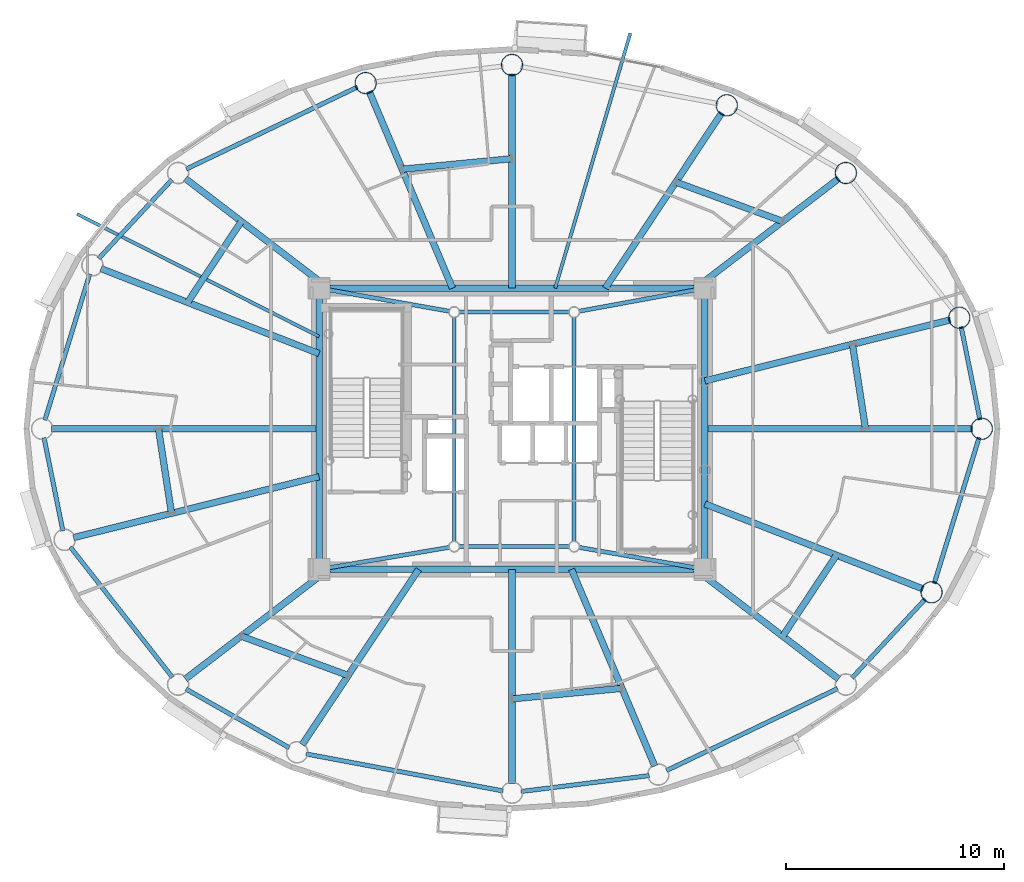
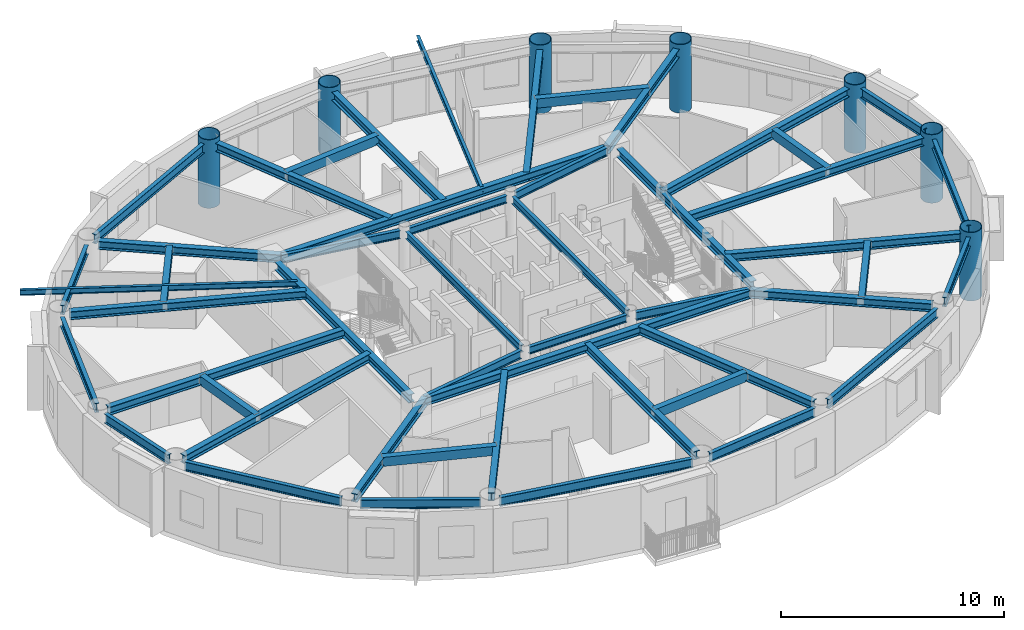
# One storey, part 2 of 20: 50 beams, 7 columns.
"""IFC4 building model written with IfcOpenShell, lengths in metres."""

from ifc_helpers import new_model, si_unit, direction, frame, origin, origin_2d, place, context, subcontext, project, spatial, hollow_rectangle, hollow_circle, i_section, extrude, material, material_profile, profile_set, type_object, element, save


model = new_model("IFC4")

# Units and contexts
model_context = context("Model", 3, precision=1e-05, world=origin(), true_north=direction((0.0, 1.0)))
body_context = subcontext(model_context, "Body", "Model", "MODEL_VIEW")
ifc_project = project(units=[si_unit("LENGTHUNIT", "METRE"), si_unit("AREAUNIT", "SQUARE_METRE"), si_unit("VOLUMEUNIT", "CUBIC_METRE"), si_unit("PLANEANGLEUNIT", "RADIAN"), si_unit("MASSUNIT", "GRAM", prefix="KILO")], contexts=[model_context])

# Site, building, storey
site_placement = place(None, origin())
site = spatial("IfcSite", under=ifc_project, at=site_placement, CompositionType="ELEMENT")
building_placement = place(site_placement, origin())
building = spatial("IfcBuilding", under=site, at=building_placement, Name="Linh Dai School and Residence Tower", CompositionType="ELEMENT")
storey_placement = place(building_placement, frame((0.0, 0.0, 288.0)))
storey = spatial("IfcBuildingStorey", under=building, at=storey_placement, Name="L71", CompositionType="ELEMENT", Elevation=288.0)

# Columns
ifc_material = material(Name="Structural Steel S355JR", Category="steel")
ifc_material_profile_1 = material_profile(ifc_material, hollow_circle(Radius=0.5, WallThickness=0.031982421875, at=origin_2d()), Name="CHS 1000x32")
ifc_profile_set_1 = profile_set([ifc_material_profile_1], Name="Structural Steel S355JR")
column_type = type_object("IfcColumnType", Name="COL-MC6", PredefinedType="COLUMN", material=ifc_profile_set_1)
for number, where, z_axis, x_axis, name in (
    (1, (57.550048828125, 27.0, 0.0), (0.0, 0.0, 1.0), (1.0, 0.0, 0.0), "L71 Perimeter CFT Mega-Column MC01"),
    (2, (56.5185546875, 32.094482421875, 0.0), (0.0, 0.0, 1.0), (1.0, 0.0, 0.0), "L71 Perimeter CFT Mega-Column MC02"),
    (3, (51.315185546875, 38.7333984375, 0.0), (0.0, 0.0, 1.0), (1.0, 0.0, 0.0), "L71 Perimeter CFT Mega-Column MC03"),
    (4, (45.8544921875, 41.8388671875, 0.0), (0.0, 0.0, 1.0), (1.0, 0.0, 0.0), "L71 Perimeter CFT Mega-Column MC04"),
    (5, (36.0, 43.68994140625, 0.0), (0.0, 0.0, 1.0), (1.0, 0.0, 0.0), "L71 Perimeter CFT Mega-Column MC05"),
    (6, (29.28759765625, 42.857666015625, 0.0), (0.0, 0.0, 1.0), (1.0, 0.0, 0.0), "L71 Perimeter CFT Mega-Column MC06"),
    (7, (55.24609375, 19.50048828125, 0.0), (0.0, 0.0, 1.0), (1.0, 0.0, 0.0), "L71 Perimeter CFT Mega-Column MC16"),
):
    element("IfcColumn", number, at=place(storey_placement, frame(where, z_axis=z_axis, x_axis=x_axis)), inside=storey, type_object=column_type, Name=name, PredefinedType="COLUMN", context=body_context, shape_type="SweptSolid", body=[
        extrude(hollow_circle(Radius=0.5, WallThickness=0.031982421875, at=origin_2d()), origin(), (0.0, 0.0, 1.0), 3.75),
    ])

# Beams
ifc_material_profile_2 = material_profile(ifc_material, i_section(OverallWidth=0.14990234375, OverallDepth=0.300048828125, WebThickness=0.007080078125, FlangeThickness=0.0107421875, at=origin_2d()), Name="IPE 300")
ifc_profile_set_2 = profile_set([ifc_material_profile_2], Name="Structural Steel S355JR")
beam_type_1 = type_object("IfcBeamType", Name="BM-BALC-CANT", PredefinedType="BEAM", material=ifc_profile_set_2)
beam_1_placement = place(storey_placement, frame((37.983154296875, 33.449951171875, 3.35009765625), z_axis=(0.282539313918, 0.959255719863, 0.0), x_axis=(-0.959255719863, 0.282539313918, 0.0)))
element("IfcBeam", 8, at=beam_1_placement, inside=storey, type_object=beam_type_1, Name="L72 Balcony Continuous Cantilever Beam 09", PredefinedType="BEAM", context=body_context, shape_type="SweptSolid", body=[
    extrude(i_section(OverallWidth=0.14990234375, OverallDepth=0.300048828125, WebThickness=0.007080078125, FlangeThickness=0.0107421875, at=origin_2d()), origin(), (0.0, 0.0, 1.0), 12.189697265625),
])
beam_2_placement = place(storey_placement, frame((27.14990234375, 31.23291015625, 3.35009765625), z_axis=(-0.892266718589, 0.451508696371, 0.0), x_axis=(-0.451508696371, -0.892266718589, 0.0)))
element("IfcBeam", 9, at=beam_2_placement, inside=storey, type_object=beam_type_1, Name="L72 Balcony Continuous Cantilever Beam 17", PredefinedType="BEAM", context=body_context, shape_type="SweptSolid", body=[
    extrude(i_section(OverallWidth=0.14990234375, OverallDepth=0.300048828125, WebThickness=0.007080078125, FlangeThickness=0.0107421875, at=origin_2d()), origin(), (0.0, 0.0, 1.0), 12.44482421875),
])
ifc_material_profile_3 = material_profile(ifc_material, hollow_rectangle(XDim=0.300048828125, YDim=0.5, WallThickness=0.01611328125, at=origin_2d()), Name="RHS 500x300x16")
ifc_profile_set_3 = profile_set([ifc_material_profile_3], Name="Structural Steel S355JR")
beam_type_2 = type_object("IfcBeamType", Name="BM-BX5", PredefinedType="BEAM", material=ifc_profile_set_3)
beam_3_placement = place(storey_placement, frame((52.21533203125, 27.0048828125, 3.25), z_axis=(-0.15246970742, 0.988308144416, 0.0), x_axis=(-0.988308144416, -0.15246970742, 0.0)))
element("IfcBeam", 10, at=beam_3_placement, inside=storey, type_object=beam_type_2, Name="L71 Secondary Circumferential Floor Beam 01", PredefinedType="BEAM", context=body_context, shape_type="SweptSolid", body=[
    extrude(hollow_rectangle(XDim=0.300048828125, YDim=0.5, WallThickness=0.01611328125, at=origin_2d()), origin(), (0.0, 0.0, 1.0), 3.913330078125),
])
beam_4_placement = place(storey_placement, frame((48.4140625, 36.51611328125, 3.25), z_axis=(-0.938699136888, 0.344737480418, 0.0), x_axis=(-0.344737480418, -0.938699136888, 0.0)))
element("IfcBeam", 11, at=beam_4_placement, inside=storey, type_object=beam_type_2, Name="L71 Secondary Circumferential Floor Beam 02", PredefinedType="BEAM", context=body_context, shape_type="SweptSolid", body=[
    extrude(hollow_rectangle(XDim=0.300048828125, YDim=0.5, WallThickness=0.01611328125, at=origin_2d()), origin(), (0.0, 0.0, 1.0), 5.21435546875),
])
beam_5_placement = place(storey_placement, frame((35.9951171875, 39.388671875, 3.25), z_axis=(-0.99544604529, -0.095326653757, 0.0), x_axis=(0.095326653757, -0.99544604529, 0.0)))
element("IfcBeam", 12, at=beam_5_placement, inside=storey, type_object=beam_type_2, Name="L71 Secondary Circumferential Floor Beam 03", PredefinedType="BEAM", context=body_context, shape_type="SweptSolid", body=[
    extrude(hollow_rectangle(XDim=0.300048828125, YDim=0.5, WallThickness=0.01611328125, at=origin_2d()), origin(), (0.0, 0.0, 1.0), 5.052978515625),
])
beam_6_placement = place(storey_placement, frame((23.57861328125, 36.51025390625, 3.25), z_axis=(-0.552138599569, -0.833752341445, 0.0), x_axis=(0.833752341445, -0.552138599569, 0.0)))
element("IfcBeam", 13, at=beam_6_placement, inside=storey, type_object=beam_type_2, Name="L71 Secondary Circumferential Floor Beam 04", PredefinedType="BEAM", context=body_context, shape_type="SweptSolid", body=[
    extrude(hollow_rectangle(XDim=0.300048828125, YDim=0.5, WallThickness=0.01611328125, at=origin_2d()), origin(), (0.0, 0.0, 1.0), 4.447265625),
])
beam_7_placement = place(storey_placement, frame((19.78466796875, 26.9951171875, 3.25), z_axis=(0.15246970742, -0.988308144416, 0.0), x_axis=(0.988308144416, 0.15246970742, 0.0)))
element("IfcBeam", 14, at=beam_7_placement, inside=storey, type_object=beam_type_2, Name="L71 Secondary Circumferential Floor Beam 05", PredefinedType="BEAM", context=body_context, shape_type="SweptSolid", body=[
    extrude(hollow_rectangle(XDim=0.300048828125, YDim=0.5, WallThickness=0.01611328125, at=origin_2d()), origin(), (0.0, 0.0, 1.0), 3.913330078125),
])
beam_8_placement = place(storey_placement, frame((23.5859375, 17.48388671875, 3.25), z_axis=(0.938699136888, -0.344737480418, 0.0), x_axis=(0.344737480418, 0.938699136888, 0.0)))
element("IfcBeam", 15, at=beam_8_placement, inside=storey, type_object=beam_type_2, Name="L71 Secondary Circumferential Floor Beam 06", PredefinedType="BEAM", context=body_context, shape_type="SweptSolid", body=[
    extrude(hollow_rectangle(XDim=0.300048828125, YDim=0.5, WallThickness=0.01611328125, at=origin_2d()), origin(), (0.0, 0.0, 1.0), 5.21435546875),
])
beam_9_placement = place(storey_placement, frame((36.0048828125, 14.611328125, 3.25), z_axis=(0.99544604529, 0.095326653757, 0.0), x_axis=(-0.095326653757, 0.99544604529, 0.0)))
element("IfcBeam", 16, at=beam_9_placement, inside=storey, type_object=beam_type_2, Name="L71 Secondary Circumferential Floor Beam 07", PredefinedType="BEAM", context=body_context, shape_type="SweptSolid", body=[
    extrude(hollow_rectangle(XDim=0.300048828125, YDim=0.5, WallThickness=0.01611328125, at=origin_2d()), origin(), (0.0, 0.0, 1.0), 5.052978515625),
])
beam_10_placement = place(storey_placement, frame((48.42138671875, 17.48974609375, 3.25), z_axis=(0.552138599569, 0.833752341445, 0.0), x_axis=(-0.833752341445, 0.552138599569, 0.0)))
element("IfcBeam", 17, at=beam_10_placement, inside=storey, type_object=beam_type_2, Name="L71 Secondary Circumferential Floor Beam 08", PredefinedType="BEAM", context=body_context, shape_type="SweptSolid", body=[
    extrude(hollow_rectangle(XDim=0.300048828125, YDim=0.5, WallThickness=0.01611328125, at=origin_2d()), origin(), (0.0, 0.0, 1.0), 4.447265625),
])
ifc_material_profile_4 = material_profile(ifc_material, i_section(OverallWidth=0.199951171875, OverallDepth=0.5, WebThickness=0.01025390625, FlangeThickness=0.01611328125, FilletRadius=0.02099609375, at=origin_2d()), Name="IPE 500")
ifc_profile_set_4 = profile_set([ifc_material_profile_4], Name="Structural Steel S355JR")
beam_type_3 = type_object("IfcBeamType", Name="BM-RB50", PredefinedType="BEAM", material=ifc_profile_set_4)
beam_11_placement = place(storey_placement, frame((57.466552734375, 27.41162109375, 3.25), z_axis=(-0.198442801529, 0.980112470343, 0.0), x_axis=(-0.980112470343, -0.198442801529, 0.0)))
element("IfcBeam", 18, at=beam_11_placement, inside=storey, type_object=beam_type_3, Name="L71 Perimeter Elliptical Ring Beam 01", PredefinedType="BEAM", context=body_context, shape_type="SweptSolid", body=[
    extrude(i_section(OverallWidth=0.199951171875, OverallDepth=0.5, WebThickness=0.01025390625, FlangeThickness=0.01611328125, FilletRadius=0.02099609375, at=origin_2d()), origin(), (0.0, 0.0, 1.0), 4.357666015625),
])
beam_12_placement = place(storey_placement, frame((28.908935546875, 42.67626953125, 3.25), z_axis=(-0.901728757887, -0.4323022637, 0.0), x_axis=(0.4323022637, -0.901728757887, 0.0)))
element("IfcBeam", 19, at=beam_12_placement, inside=storey, type_object=beam_type_3, Name="L71 Perimeter Elliptical Ring Beam 06", PredefinedType="BEAM", context=body_context, shape_type="SweptSolid", body=[
    extrude(i_section(OverallWidth=0.199951171875, OverallDepth=0.5, WebThickness=0.01025390625, FlangeThickness=0.01611328125, FilletRadius=0.02099609375, at=origin_2d()), origin(), (0.0, 0.0, 1.0), 8.700439453125),
])
beam_13_placement = place(storey_placement, frame((20.399169921875, 38.425537109375, 3.25), z_axis=(-0.680415064526, -0.7328269509, 0.0), x_axis=(0.7328269509, -0.680415064526, 0.0)))
element("IfcBeam", 20, at=beam_13_placement, inside=storey, type_object=beam_type_3, Name="L71 Perimeter Elliptical Ring Beam 07", PredefinedType="BEAM", context=body_context, shape_type="SweptSolid", body=[
    extrude(i_section(OverallWidth=0.199951171875, OverallDepth=0.5, WebThickness=0.01025390625, FlangeThickness=0.01611328125, FilletRadius=0.02099609375, at=origin_2d()), origin(), (0.0, 0.0, 1.0), 4.9375),
])
beam_14_placement = place(storey_placement, frame((16.630615234375, 34.097900390625, 3.25), z_axis=(-0.293681749834, -0.955903253376, 0.0), x_axis=(0.955903253376, -0.293681749834, 0.0)))
element("IfcBeam", 21, at=beam_14_placement, inside=storey, type_object=beam_type_3, Name="L71 Perimeter Elliptical Ring Beam 08", PredefinedType="BEAM", context=body_context, shape_type="SweptSolid", body=[
    extrude(i_section(OverallWidth=0.199951171875, OverallDepth=0.5, WebThickness=0.01025390625, FlangeThickness=0.01611328125, FilletRadius=0.02099609375, at=origin_2d()), origin(), (0.0, 0.0, 1.0), 7.00537109375),
])
beam_15_placement = place(storey_placement, frame((14.533447265625, 26.58837890625, 3.25), z_axis=(0.198442801529, -0.980112470343, 0.0), x_axis=(0.980112470343, 0.198442801529, 0.0)))
element("IfcBeam", 22, at=beam_15_placement, inside=storey, type_object=beam_type_3, Name="L71 Perimeter Elliptical Ring Beam 09", PredefinedType="BEAM", context=body_context, shape_type="SweptSolid", body=[
    extrude(i_section(OverallWidth=0.199951171875, OverallDepth=0.5, WebThickness=0.01025390625, FlangeThickness=0.01611328125, FilletRadius=0.02099609375, at=origin_2d()), origin(), (0.0, 0.0, 1.0), 4.357666015625),
])
beam_16_placement = place(storey_placement, frame((15.740478515625, 21.574951171875, 3.25), z_axis=(0.616882739554, -0.787055071542, 0.0), x_axis=(0.787055071542, 0.616882739554, 0.0)))
element("IfcBeam", 23, at=beam_16_placement, inside=storey, type_object=beam_type_3, Name="L71 Perimeter Elliptical Ring Beam 10", PredefinedType="BEAM", context=body_context, shape_type="SweptSolid", body=[
    extrude(i_section(OverallWidth=0.199951171875, OverallDepth=0.5, WebThickness=0.01025390625, FlangeThickness=0.01611328125, FilletRadius=0.02099609375, at=origin_2d()), origin(), (0.0, 0.0, 1.0), 7.59521484375),
])
beam_17_placement = place(storey_placement, frame((21.050048828125, 15.05908203125, 3.25), z_axis=(0.869265548778, -0.494345431564, 0.0), x_axis=(0.494345431564, 0.869265548778, 0.0)))
element("IfcBeam", 24, at=beam_17_placement, inside=storey, type_object=beam_type_3, Name="L71 Perimeter Elliptical Ring Beam 11", PredefinedType="BEAM", context=body_context, shape_type="SweptSolid", body=[
    extrude(i_section(OverallWidth=0.199951171875, OverallDepth=0.5, WebThickness=0.01025390625, FlangeThickness=0.01611328125, FilletRadius=0.02099609375, at=origin_2d()), origin(), (0.0, 0.0, 1.0), 5.44189453125),
])
beam_18_placement = place(storey_placement, frame((26.558349609375, 12.083740234375, 3.25), z_axis=(0.982805333306, -0.184644731378, 0.0), x_axis=(0.184644731378, 0.982805333306, 0.0)))
element("IfcBeam", 25, at=beam_18_placement, inside=storey, type_object=beam_type_3, Name="L71 Perimeter Elliptical Ring Beam 12", PredefinedType="BEAM", context=body_context, shape_type="SweptSolid", body=[
    extrude(i_section(OverallWidth=0.199951171875, OverallDepth=0.5, WebThickness=0.01025390625, FlangeThickness=0.01611328125, FilletRadius=0.02099609375, at=origin_2d()), origin(), (0.0, 0.0, 1.0), 9.186767578125),
])
beam_19_placement = place(storey_placement, frame((36.416748046875, 10.361572265625, 3.25), z_axis=(0.992399134443, 0.123060789678, 0.0), x_axis=(-0.123060789678, 0.992399134443, 0.0)))
element("IfcBeam", 26, at=beam_19_placement, inside=storey, type_object=beam_type_3, Name="L71 Perimeter Elliptical Ring Beam 13", PredefinedType="BEAM", context=body_context, shape_type="SweptSolid", body=[
    extrude(i_section(OverallWidth=0.199951171875, OverallDepth=0.5, WebThickness=0.01025390625, FlangeThickness=0.01611328125, FilletRadius=0.02099609375, at=origin_2d()), origin(), (0.0, 0.0, 1.0), 5.923828125),
])
beam_20_placement = place(storey_placement, frame((43.091064453125, 11.32373046875, 3.25), z_axis=(0.901728757887, 0.4323022637, 0.0), x_axis=(-0.4323022637, 0.901728757887, 0.0)))
element("IfcBeam", 27, at=beam_20_placement, inside=storey, type_object=beam_type_3, Name="L71 Perimeter Elliptical Ring Beam 14", PredefinedType="BEAM", context=body_context, shape_type="SweptSolid", body=[
    extrude(i_section(OverallWidth=0.199951171875, OverallDepth=0.5, WebThickness=0.01025390625, FlangeThickness=0.01611328125, FilletRadius=0.02099609375, at=origin_2d()), origin(), (0.0, 0.0, 1.0), 8.700439453125),
])
beam_21_placement = place(storey_placement, frame((51.600830078125, 15.574462890625, 3.25), z_axis=(0.680415064526, 0.7328269509, 0.0), x_axis=(-0.7328269509, 0.680415064526, 0.0)))
element("IfcBeam", 28, at=beam_21_placement, inside=storey, type_object=beam_type_3, Name="L71 Perimeter Elliptical Ring Beam 15", PredefinedType="BEAM", context=body_context, shape_type="SweptSolid", body=[
    extrude(i_section(OverallWidth=0.199951171875, OverallDepth=0.5, WebThickness=0.01025390625, FlangeThickness=0.01611328125, FilletRadius=0.02099609375, at=origin_2d()), origin(), (0.0, 0.0, 1.0), 4.9375),
])
beam_22_placement = place(storey_placement, frame((55.369384765625, 19.902099609375, 3.25), z_axis=(0.293681749834, 0.955903253376, 0.0), x_axis=(-0.955903253376, 0.293681749834, 0.0)))
element("IfcBeam", 29, at=beam_22_placement, inside=storey, type_object=beam_type_3, Name="L71 Perimeter Elliptical Ring Beam 16", PredefinedType="BEAM", context=body_context, shape_type="SweptSolid", body=[
    extrude(i_section(OverallWidth=0.199951171875, OverallDepth=0.5, WebThickness=0.01025390625, FlangeThickness=0.01611328125, FilletRadius=0.02099609375, at=origin_2d()), origin(), (0.0, 0.0, 1.0), 7.00537109375),
])
ifc_material_profile_5 = material_profile(ifc_material, i_section(OverallWidth=0.300048828125, OverallDepth=0.449951171875, WebThickness=0.013916015625, FlangeThickness=0.02587890625, FilletRadius=0.027099609375, at=origin_2d()), Name="HEB 450")
ifc_profile_set_5 = profile_set([ifc_material_profile_5], Name="Structural Steel S355JR")
beam_type_4 = type_object("IfcBeamType", Name="BM-RG45", PredefinedType="BEAM", material=ifc_profile_set_5)
beam_23_placement = place(storey_placement, frame((27.570068359375, 20.550048828125, 3.27490234375), z_axis=(1.0, 0.0, 0.0), x_axis=(0.0, 1.0, 0.0)))
element("IfcBeam", 30, at=beam_23_placement, inside=storey, type_object=beam_type_4, Name="L71 Core Perimeter Coupling Girder 1", PredefinedType="BEAM", context=body_context, shape_type="SweptSolid", body=[
    extrude(i_section(OverallWidth=0.300048828125, OverallDepth=0.449951171875, WebThickness=0.013916015625, FlangeThickness=0.02587890625, FilletRadius=0.027099609375, at=origin_2d()), origin(), (0.0, 0.0, 1.0), 16.85986328125),
])
beam_24_placement = place(storey_placement, frame((44.85009765625, 20.969970703125, 3.27490234375), z_axis=(0.0, 1.0, 0.0), x_axis=(-1.0, 0.0, 0.0)))
element("IfcBeam", 31, at=beam_24_placement, inside=storey, type_object=beam_type_4, Name="L71 Core Perimeter Coupling Girder 2", PredefinedType="BEAM", context=body_context, shape_type="SweptSolid", body=[
    extrude(i_section(OverallWidth=0.300048828125, OverallDepth=0.449951171875, WebThickness=0.013916015625, FlangeThickness=0.02587890625, FilletRadius=0.027099609375, at=origin_2d()), origin(), (0.0, 0.0, 1.0), 12.06005859375),
])
beam_25_placement = place(storey_placement, frame((44.429931640625, 33.449951171875, 3.27490234375), z_axis=(-1.0, 0.0, 0.0), x_axis=(0.0, -1.0, 0.0)))
element("IfcBeam", 32, at=beam_25_placement, inside=storey, type_object=beam_type_4, Name="L71 Core Perimeter Coupling Girder 3", PredefinedType="BEAM", context=body_context, shape_type="SweptSolid", body=[
    extrude(i_section(OverallWidth=0.300048828125, OverallDepth=0.449951171875, WebThickness=0.013916015625, FlangeThickness=0.02587890625, FilletRadius=0.027099609375, at=origin_2d()), origin(), (0.0, 0.0, 1.0), 16.85986328125),
])
beam_26_placement = place(storey_placement, frame((27.14990234375, 33.030029296875, 3.27490234375), z_axis=(0.0, -1.0, 0.0), x_axis=(1.0, 0.0, 0.0)))
element("IfcBeam", 33, at=beam_26_placement, inside=storey, type_object=beam_type_4, Name="L71 Core Perimeter Coupling Girder 4", PredefinedType="BEAM", context=body_context, shape_type="SweptSolid", body=[
    extrude(i_section(OverallWidth=0.300048828125, OverallDepth=0.449951171875, WebThickness=0.013916015625, FlangeThickness=0.02587890625, FilletRadius=0.027099609375, at=origin_2d()), origin(), (0.0, 0.0, 1.0), 12.06005859375),
])
beam_27_placement = place(storey_placement, frame((44.85009765625, 27.0, 3.27490234375), z_axis=(1.0, 0.0, 0.0), x_axis=(0.0, 1.0, 0.0)))
element("IfcBeam", 34, at=beam_27_placement, inside=storey, type_object=beam_type_4, Name="L71 Primary Radial Floor Girder 01", PredefinedType="BEAM", context=body_context, shape_type="SweptSolid", body=[
    extrude(i_section(OverallWidth=0.300048828125, OverallDepth=0.449951171875, WebThickness=0.013916015625, FlangeThickness=0.02587890625, FilletRadius=0.027099609375, at=origin_2d()), origin(), (0.0, 0.0, 1.0), 12.27978515625),
])
beam_28_placement = place(storey_placement, frame((44.85009765625, 29.197265625, 3.27490234375), z_axis=(0.970532368701, 0.240970789315, 0.0), x_axis=(-0.240970789315, 0.970532368701, 0.0)))
element("IfcBeam", 35, at=beam_28_placement, inside=storey, type_object=beam_type_4, Name="L71 Primary Radial Floor Girder 02", PredefinedType="BEAM", context=body_context, shape_type="SweptSolid", body=[
    extrude(i_section(OverallWidth=0.300048828125, OverallDepth=0.449951171875, WebThickness=0.013916015625, FlangeThickness=0.02587890625, FilletRadius=0.027099609375, at=origin_2d()), origin(), (0.0, 0.0, 1.0), 11.6025390625),
])
beam_29_placement = place(storey_placement, frame((44.4189453125, 33.449951171875, 3.27490234375), z_axis=(0.793802616583, 0.608175472956, 0.0), x_axis=(-0.608175472956, 0.793802616583, 0.0)))
element("IfcBeam", 36, at=beam_29_placement, inside=storey, type_object=beam_type_4, Name="L71 Primary Radial Floor Girder 03", PredefinedType="BEAM", context=body_context, shape_type="SweptSolid", body=[
    extrude(i_section(OverallWidth=0.300048828125, OverallDepth=0.449951171875, WebThickness=0.013916015625, FlangeThickness=0.02587890625, FilletRadius=0.027099609375, at=origin_2d()), origin(), (0.0, 0.0, 1.0), 8.267578125),
])
beam_30_placement = place(storey_placement, frame((40.283447265625, 33.449951171875, 3.27490234375), z_axis=(0.553210566646, 0.833041456922, 0.0), x_axis=(-0.833041456922, 0.553210566646, 0.0)))
element("IfcBeam", 37, at=beam_30_placement, inside=storey, type_object=beam_type_4, Name="L71 Primary Radial Floor Girder 04", PredefinedType="BEAM", context=body_context, shape_type="SweptSolid", body=[
    extrude(i_section(OverallWidth=0.300048828125, OverallDepth=0.449951171875, WebThickness=0.013916015625, FlangeThickness=0.02587890625, FilletRadius=0.027099609375, at=origin_2d()), origin(), (0.0, 0.0, 1.0), 9.650146484375),
])
beam_31_placement = place(storey_placement, frame((36.0, 33.449951171875, 3.27490234375), z_axis=(0.0, 1.0, 0.0), x_axis=(-1.0, 0.0, 0.0)))
element("IfcBeam", 38, at=beam_31_placement, inside=storey, type_object=beam_type_4, Name="L71 Primary Radial Floor Girder 05", PredefinedType="BEAM", context=body_context, shape_type="SweptSolid", body=[
    extrude(i_section(OverallWidth=0.300048828125, OverallDepth=0.449951171875, WebThickness=0.013916015625, FlangeThickness=0.02587890625, FilletRadius=0.027099609375, at=origin_2d()), origin(), (0.0, 0.0, 1.0), 9.820068359375),
])
beam_32_placement = place(storey_placement, frame((33.269775390625, 33.449951171875, 3.27490234375), z_axis=(-0.389794463678, 0.920901881899, 0.0), x_axis=(-0.920901881899, -0.389794463678, 0.0)))
element("IfcBeam", 39, at=beam_32_placement, inside=storey, type_object=beam_type_4, Name="L71 Primary Radial Floor Girder 06", PredefinedType="BEAM", context=body_context, shape_type="SweptSolid", body=[
    extrude(i_section(OverallWidth=0.300048828125, OverallDepth=0.449951171875, WebThickness=0.013916015625, FlangeThickness=0.02587890625, FilletRadius=0.027099609375, at=origin_2d()), origin(), (0.0, 0.0, 1.0), 9.7958984375),
])
beam_33_placement = place(storey_placement, frame((27.5810546875, 33.449951171875, 3.27490234375), z_axis=(-0.793802616583, 0.608175472956, 0.0), x_axis=(-0.608175472956, -0.793802616583, 0.0)))
element("IfcBeam", 40, at=beam_33_placement, inside=storey, type_object=beam_type_4, Name="L71 Primary Radial Floor Girder 07", PredefinedType="BEAM", context=body_context, shape_type="SweptSolid", body=[
    extrude(i_section(OverallWidth=0.300048828125, OverallDepth=0.449951171875, WebThickness=0.013916015625, FlangeThickness=0.02587890625, FilletRadius=0.027099609375, at=origin_2d()), origin(), (0.0, 0.0, 1.0), 8.267578125),
])
beam_34_placement = place(storey_placement, frame((27.14990234375, 30.448486328125, 3.27490234375), z_axis=(-0.931760809838, 0.363072710693, 0.0), x_axis=(-0.363072710693, -0.931760809838, 0.0)))
element("IfcBeam", 41, at=beam_34_placement, inside=storey, type_object=beam_type_4, Name="L71 Primary Radial Floor Girder 08", PredefinedType="BEAM", context=body_context, shape_type="SweptSolid", body=[
    extrude(i_section(OverallWidth=0.300048828125, OverallDepth=0.449951171875, WebThickness=0.013916015625, FlangeThickness=0.02587890625, FilletRadius=0.027099609375, at=origin_2d()), origin(), (0.0, 0.0, 1.0), 10.7373046875),
])
beam_35_placement = place(storey_placement, frame((27.14990234375, 27.0, 3.27490234375), z_axis=(-1.0, 0.0, 0.0), x_axis=(0.0, -1.0, 0.0)))
element("IfcBeam", 42, at=beam_35_placement, inside=storey, type_object=beam_type_4, Name="L71 Primary Radial Floor Girder 09", PredefinedType="BEAM", context=body_context, shape_type="SweptSolid", body=[
    extrude(i_section(OverallWidth=0.300048828125, OverallDepth=0.449951171875, WebThickness=0.013916015625, FlangeThickness=0.02587890625, FilletRadius=0.027099609375, at=origin_2d()), origin(), (0.0, 0.0, 1.0), 12.27978515625),
])
beam_36_placement = place(storey_placement, frame((27.14990234375, 24.802734375, 3.27490234375), z_axis=(-0.970532368701, -0.240970789315, 0.0), x_axis=(0.240970789315, -0.970532368701, 0.0)))
element("IfcBeam", 43, at=beam_36_placement, inside=storey, type_object=beam_type_4, Name="L71 Primary Radial Floor Girder 10", PredefinedType="BEAM", context=body_context, shape_type="SweptSolid", body=[
    extrude(i_section(OverallWidth=0.300048828125, OverallDepth=0.449951171875, WebThickness=0.013916015625, FlangeThickness=0.02587890625, FilletRadius=0.027099609375, at=origin_2d()), origin(), (0.0, 0.0, 1.0), 11.6025390625),
])
beam_37_placement = place(storey_placement, frame((27.5810546875, 20.550048828125, 3.27490234375), z_axis=(-0.793802616583, -0.608175472956, 0.0), x_axis=(0.608175472956, -0.793802616583, 0.0)))
element("IfcBeam", 44, at=beam_37_placement, inside=storey, type_object=beam_type_4, Name="L71 Primary Radial Floor Girder 11", PredefinedType="BEAM", context=body_context, shape_type="SweptSolid", body=[
    extrude(i_section(OverallWidth=0.300048828125, OverallDepth=0.449951171875, WebThickness=0.013916015625, FlangeThickness=0.02587890625, FilletRadius=0.027099609375, at=origin_2d()), origin(), (0.0, 0.0, 1.0), 8.267578125),
])
beam_38_placement = place(storey_placement, frame((31.716552734375, 20.550048828125, 3.27490234375), z_axis=(-0.553210566646, -0.833041456922, 0.0), x_axis=(0.833041456922, -0.553210566646, 0.0)))
element("IfcBeam", 45, at=beam_38_placement, inside=storey, type_object=beam_type_4, Name="L71 Primary Radial Floor Girder 12", PredefinedType="BEAM", context=body_context, shape_type="SweptSolid", body=[
    extrude(i_section(OverallWidth=0.300048828125, OverallDepth=0.449951171875, WebThickness=0.013916015625, FlangeThickness=0.02587890625, FilletRadius=0.027099609375, at=origin_2d()), origin(), (0.0, 0.0, 1.0), 9.650146484375),
])
beam_39_placement = place(storey_placement, frame((36.0, 20.550048828125, 3.27490234375), z_axis=(0.0, -1.0, 0.0), x_axis=(1.0, 0.0, 0.0)))
element("IfcBeam", 46, at=beam_39_placement, inside=storey, type_object=beam_type_4, Name="L71 Primary Radial Floor Girder 13", PredefinedType="BEAM", context=body_context, shape_type="SweptSolid", body=[
    extrude(i_section(OverallWidth=0.300048828125, OverallDepth=0.449951171875, WebThickness=0.013916015625, FlangeThickness=0.02587890625, FilletRadius=0.027099609375, at=origin_2d()), origin(), (0.0, 0.0, 1.0), 9.820068359375),
])
beam_40_placement = place(storey_placement, frame((38.730224609375, 20.550048828125, 3.27490234375), z_axis=(0.389794463678, -0.920901881899, 0.0), x_axis=(0.920901881899, 0.389794463678, 0.0)))
element("IfcBeam", 47, at=beam_40_placement, inside=storey, type_object=beam_type_4, Name="L71 Primary Radial Floor Girder 14", PredefinedType="BEAM", context=body_context, shape_type="SweptSolid", body=[
    extrude(i_section(OverallWidth=0.300048828125, OverallDepth=0.449951171875, WebThickness=0.013916015625, FlangeThickness=0.02587890625, FilletRadius=0.027099609375, at=origin_2d()), origin(), (0.0, 0.0, 1.0), 9.7958984375),
])
beam_41_placement = place(storey_placement, frame((44.4189453125, 20.550048828125, 3.27490234375), z_axis=(0.793802616583, -0.608175472956, 0.0), x_axis=(0.608175472956, 0.793802616583, 0.0)))
element("IfcBeam", 48, at=beam_41_placement, inside=storey, type_object=beam_type_4, Name="L71 Primary Radial Floor Girder 15", PredefinedType="BEAM", context=body_context, shape_type="SweptSolid", body=[
    extrude(i_section(OverallWidth=0.300048828125, OverallDepth=0.449951171875, WebThickness=0.013916015625, FlangeThickness=0.02587890625, FilletRadius=0.027099609375, at=origin_2d()), origin(), (0.0, 0.0, 1.0), 8.267578125),
])
beam_42_placement = place(storey_placement, frame((44.85009765625, 23.551513671875, 3.27490234375), z_axis=(0.931760809838, -0.363072710693, 0.0), x_axis=(0.363072710693, 0.931760809838, 0.0)))
element("IfcBeam", 49, at=beam_42_placement, inside=storey, type_object=beam_type_4, Name="L71 Primary Radial Floor Girder 16", PredefinedType="BEAM", context=body_context, shape_type="SweptSolid", body=[
    extrude(i_section(OverallWidth=0.300048828125, OverallDepth=0.449951171875, WebThickness=0.013916015625, FlangeThickness=0.02587890625, FilletRadius=0.027099609375, at=origin_2d()), origin(), (0.0, 0.0, 1.0), 10.7373046875),
])
ifc_material_profile_6 = material_profile(ifc_material, i_section(OverallWidth=0.179931640625, OverallDepth=0.39990234375, WebThickness=0.008544921875, FlangeThickness=0.013427734375, FilletRadius=0.02099609375, at=origin_2d()), Name="IPE 400")
ifc_profile_set_6 = profile_set([ifc_material_profile_6], Name="Structural Steel S355JR")
beam_type_5 = type_object("IfcBeamType", Name="BM-SB40", PredefinedType="BEAM", material=ifc_profile_set_6)
beam_43_placement = place(storey_placement, frame((33.573974609375, 21.60009765625, 3.300048828125), z_axis=(1.0, 0.0, 0.0), x_axis=(0.0, 1.0, 0.0)))
element("IfcBeam", 50, at=beam_43_placement, inside=storey, type_object=beam_type_5, Name="L71 Core Mast Pier Tie Beam 1", PredefinedType="BEAM", context=body_context, shape_type="SweptSolid", body=[
    extrude(i_section(OverallWidth=0.179931640625, OverallDepth=0.39990234375, WebThickness=0.008544921875, FlangeThickness=0.013427734375, FilletRadius=0.02099609375, at=origin_2d()), origin(), (0.0, 0.0, 1.0), 5.052001953125),
])
beam_44_placement = place(storey_placement, frame((38.85009765625, 21.823974609375, 3.300048828125), z_axis=(0.0, 1.0, 0.0), x_axis=(-1.0, 0.0, 0.0)))
element("IfcBeam", 51, at=beam_44_placement, inside=storey, type_object=beam_type_5, Name="L71 Core Mast Pier Tie Beam 2", PredefinedType="BEAM", context=body_context, shape_type="SweptSolid", body=[
    extrude(i_section(OverallWidth=0.179931640625, OverallDepth=0.39990234375, WebThickness=0.008544921875, FlangeThickness=0.013427734375, FilletRadius=0.02099609375, at=origin_2d()), origin(), (0.0, 0.0, 1.0), 10.302001953125),
])
beam_45_placement = place(storey_placement, frame((38.6259765625, 32.35009765625, 3.300048828125), z_axis=(-1.0, 0.0, 0.0), x_axis=(0.0, -1.0, 0.0)))
element("IfcBeam", 52, at=beam_45_placement, inside=storey, type_object=beam_type_5, Name="L71 Core Mast Pier Tie Beam 3", PredefinedType="BEAM", context=body_context, shape_type="SweptSolid", body=[
    extrude(i_section(OverallWidth=0.179931640625, OverallDepth=0.39990234375, WebThickness=0.008544921875, FlangeThickness=0.013427734375, FilletRadius=0.02099609375, at=origin_2d()), origin(), (0.0, 0.0, 1.0), 5.052001953125),
])
beam_46_placement = place(storey_placement, frame((33.35009765625, 32.1259765625, 3.300048828125), z_axis=(0.0, -1.0, 0.0), x_axis=(1.0, 0.0, 0.0)))
element("IfcBeam", 53, at=beam_46_placement, inside=storey, type_object=beam_type_5, Name="L71 Core Mast Pier Tie Beam 4", PredefinedType="BEAM", context=body_context, shape_type="SweptSolid", body=[
    extrude(i_section(OverallWidth=0.179931640625, OverallDepth=0.39990234375, WebThickness=0.008544921875, FlangeThickness=0.013427734375, FilletRadius=0.02099609375, at=origin_2d()), origin(), (0.0, 0.0, 1.0), 10.302001953125),
])
ifc_material_profile_7 = material_profile(ifc_material, i_section(OverallWidth=0.18994140625, OverallDepth=0.449951171875, WebThickness=0.009521484375, FlangeThickness=0.0146484375, FilletRadius=0.02099609375, at=origin_2d()), Name="IPE 450")
ifc_profile_set_7 = profile_set([ifc_material_profile_7], Name="Structural Steel S355JR")
beam_type_6 = type_object("IfcBeamType", Name="BM-SB45", PredefinedType="BEAM", material=ifc_profile_set_7)
beam_47_placement = place(storey_placement, frame((27.564208984375, 20.6201171875, 3.27490234375), z_axis=(0.98596270559, 0.166965694638, 0.0), x_axis=(-0.166965694638, 0.98596270559, 0.0)))
element("IfcBeam", 54, at=beam_47_placement, inside=storey, type_object=beam_type_6, Name="L71 Core Corner-to-Mast Pier Beam 1", PredefinedType="BEAM", context=body_context, shape_type="SweptSolid", body=[
    extrude(i_section(OverallWidth=0.18994140625, OverallDepth=0.449951171875, WebThickness=0.009521484375, FlangeThickness=0.0146484375, FilletRadius=0.02099609375, at=origin_2d()), origin(), (0.0, 0.0, 1.0), 5.644287109375),
])
beam_48_placement = place(storey_placement, frame((44.436279296875, 20.622314453125, 3.27490234375), z_axis=(-0.985031608673, 0.17237380867, 0.0), x_axis=(-0.17237380867, -0.985031608673, 0.0)))
element("IfcBeam", 55, at=beam_48_placement, inside=storey, type_object=beam_type_6, Name="L71 Core Corner-to-Mast Pier Beam 2", PredefinedType="BEAM", context=body_context, shape_type="SweptSolid", body=[
    extrude(i_section(OverallWidth=0.18994140625, OverallDepth=0.449951171875, WebThickness=0.009521484375, FlangeThickness=0.0146484375, FilletRadius=0.02099609375, at=origin_2d()), origin(), (0.0, 0.0, 1.0), 5.447265625),
])
beam_49_placement = place(storey_placement, frame((44.436767578125, 33.374267578125, 3.27490234375), z_axis=(-0.983605366802, -0.180334362777, 0.0), x_axis=(0.180334362777, -0.983605366802, 0.0)))
element("IfcBeam", 56, at=beam_49_placement, inside=storey, type_object=beam_type_6, Name="L71 Core Corner-to-Mast Pier Beam 3", PredefinedType="BEAM", context=body_context, shape_type="SweptSolid", body=[
    extrude(i_section(OverallWidth=0.18994140625, OverallDepth=0.449951171875, WebThickness=0.009521484375, FlangeThickness=0.0146484375, FilletRadius=0.02099609375, at=origin_2d()), origin(), (0.0, 0.0, 1.0), 5.455810546875),
])
beam_50_placement = place(storey_placement, frame((27.5634765625, 33.376708984375, 3.27490234375), z_axis=(0.984621828197, -0.174699328672, 0.0), x_axis=(0.174699328672, 0.984621828197, 0.0)))
element("IfcBeam", 57, at=beam_50_placement, inside=storey, type_object=beam_type_6, Name="L71 Core Corner-to-Mast Pier Beam 4", PredefinedType="BEAM", context=body_context, shape_type="SweptSolid", body=[
    extrude(i_section(OverallWidth=0.18994140625, OverallDepth=0.449951171875, WebThickness=0.009521484375, FlangeThickness=0.0146484375, FilletRadius=0.02099609375, at=origin_2d()), origin(), (0.0, 0.0, 1.0), 5.65283203125),
])

save(model, "model.ifc")
